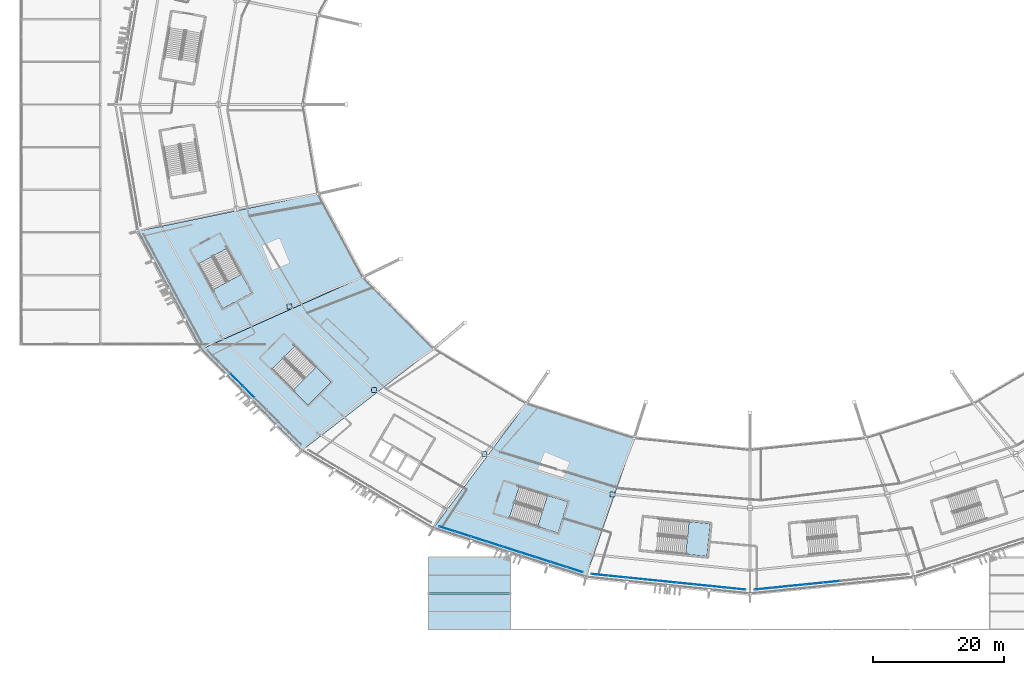
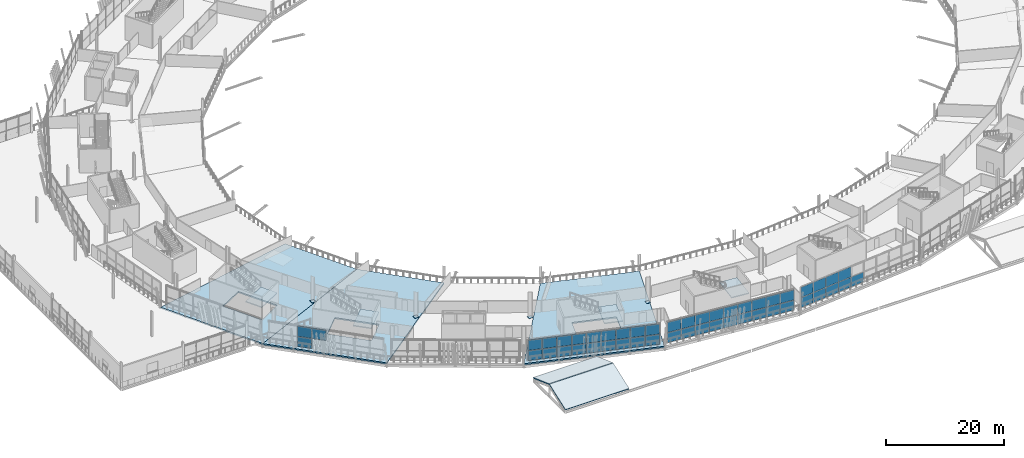
# One storey, part 83 of 168: 52 plates, 9 slabs, 9 elements without a shape of their own.
"""IFC4 building model written with IfcOpenShell, lengths in metres."""

from ifc_helpers import new_model, si_unit, direction, frame, origin, origin_2d, place, context, subcontext, project, spatial, polyline, rectangle, outline, extrude, material, layer, layer_set, type_object, element, aggregate, save


model = new_model("IFC4")

# Units and contexts
model_context = context("Model", 3, precision=1e-05, world=origin(), true_north=direction((0.0, 1.0)))
body_context = subcontext(model_context, "Body", "Model", "MODEL_VIEW")
ifc_project = project(units=[si_unit("LENGTHUNIT", "METRE"), si_unit("AREAUNIT", "SQUARE_METRE"), si_unit("VOLUMEUNIT", "CUBIC_METRE"), si_unit("PLANEANGLEUNIT", "RADIAN"), si_unit("MASSUNIT", "GRAM", prefix="KILO")], contexts=[model_context])

# Site, building, storey
site_placement = place(None, origin())
site = spatial("IfcSite", under=ifc_project, at=site_placement, CompositionType="ELEMENT")
building_placement = place(site_placement, origin())
building = spatial("IfcBuilding", under=site, at=building_placement, Name="Zlatoyarsky Gate Stadium", CompositionType="ELEMENT")
storey_placement = place(building_placement, frame((0.0, 0.0, 15.60009765625)))
storey = spatial("IfcBuildingStorey", under=building, at=storey_placement, Name="L03", CompositionType="ELEMENT", Elevation=15.60009765625)

# Curtain wall, plates
ifc_material_1 = material(Name="Thermally broken anodised aluminium curtain wall", Category="aluminium")
curtain_wall_type_1 = type_object("IfcCurtainWallType", Name="MONUMENTAL ARCHED GATE GLAZING UPPER", PredefinedType="USERDEFINED", material=ifc_material_1)
curtain_wall_1_placement = place(storey_placement, origin())
curtain_wall_1 = element("IfcCurtainWall", 1, at=curtain_wall_1_placement, inside=storey, type_object=curtain_wall_type_1, Name="Curtain wall CW-L03-18", ObjectType="ARCHED GATE GLAZING", PredefinedType="USERDEFINED")
ifc_material_2 = material(Name="Triple-glazed argon low-e architectural glass", Category="glass")
ifc_layer_1 = layer(ifc_material_2, 0.0458984375)
ifc_layer_set_1 = layer_set([ifc_layer_1], Name="Triple-glazed argon low-e architectural glass")
plate_type_1 = type_object("IfcPlateType", Name="ACOUSTIC LAMINATED GATE GLAZING PANEL 46", PredefinedType="CURTAIN_PANEL", material=ifc_layer_set_1)
plate_1_placement = place(storey_placement, frame((112.973876953125, 6.197998046875, 0.074951171875), z_axis=(0.0, 0.0, 1.0), x_axis=(0.994889655868, 0.100968176403, 0.0)))
plate_1 = element("IfcPlate", 2, at=plate_1_placement, type_object=plate_type_1, Name="CW-AG2 panel 1.1", PredefinedType="CURTAIN_PANEL", context=body_context, shape_type="SweptSolid", body=[
    extrude(rectangle(XDim=2.51806640625, YDim=0.0458984375, at=origin_2d()), origin(), (0.0, 0.0, 1.0), 2.03759765625),
])
plate_2_placement = place(storey_placement, frame((112.973876953125, 6.197998046875, 2.1875), z_axis=(0.0, 0.0, 1.0), x_axis=(0.994889655868, 0.100968176403, 0.0)))
plate_2 = element("IfcPlate", 3, at=plate_2_placement, type_object=plate_type_1, Name="CW-AG2 panel 1.2", PredefinedType="CURTAIN_PANEL", context=body_context, shape_type="SweptSolid", body=[
    extrude(rectangle(XDim=2.51806640625, YDim=0.0458984375, at=origin_2d()), origin(), (0.0, 0.0, 1.0), 2.117431640625),
])
plate_3_placement = place(storey_placement, frame((115.572265625, 6.4619140625, 0.074951171875), z_axis=(0.0, 0.0, 1.0), x_axis=(0.994889655868, 0.100968176403, 0.0)))
plate_3 = element("IfcPlate", 4, at=plate_3_placement, type_object=plate_type_1, Name="CW-AG2 panel 2.1", PredefinedType="CURTAIN_PANEL", context=body_context, shape_type="SweptSolid", body=[
    extrude(rectangle(XDim=2.555419921875, YDim=0.0458984375, at=origin_2d()), origin(), (0.0, 0.0, 1.0), 2.03759765625),
])
plate_4_placement = place(storey_placement, frame((115.572265625, 6.4619140625, 2.1875), z_axis=(0.0, 0.0, 1.0), x_axis=(0.994889655868, 0.100968176403, 0.0)))
plate_4 = element("IfcPlate", 5, at=plate_4_placement, type_object=plate_type_1, Name="CW-AG2 panel 2.2", PredefinedType="CURTAIN_PANEL", context=body_context, shape_type="SweptSolid", body=[
    extrude(rectangle(XDim=2.555419921875, YDim=0.0458984375, at=origin_2d()), origin(), (0.0, 0.0, 1.0), 2.117431640625),
])
plate_5_placement = place(storey_placement, frame((118.189453125, 6.727294921875, 0.074951171875), z_axis=(0.0, 0.0, 1.0), x_axis=(0.994889655868, 0.100968176403, 0.0)))
plate_5 = element("IfcPlate", 6, at=plate_5_placement, type_object=plate_type_1, Name="CW-AG2 panel 3.1", PredefinedType="CURTAIN_PANEL", context=body_context, shape_type="SweptSolid", body=[
    extrude(rectangle(XDim=2.555419921875, YDim=0.0458984375, at=origin_2d()), origin(), (0.0, 0.0, 1.0), 2.03759765625),
])
plate_6_placement = place(storey_placement, frame((118.189453125, 6.727294921875, 2.1875), z_axis=(0.0, 0.0, 1.0), x_axis=(0.994889655868, 0.100968176403, 0.0)))
plate_6 = element("IfcPlate", 7, at=plate_6_placement, type_object=plate_type_1, Name="CW-AG2 panel 3.2", PredefinedType="CURTAIN_PANEL", context=body_context, shape_type="SweptSolid", body=[
    extrude(rectangle(XDim=2.555419921875, YDim=0.0458984375, at=origin_2d()), origin(), (0.0, 0.0, 1.0), 2.117431640625),
])
plate_7_placement = place(storey_placement, frame((120.806396484375, 6.992919921875, 0.074951171875), z_axis=(0.0, 0.0, 1.0), x_axis=(0.994889655868, 0.100968176403, 0.0)))
plate_7 = element("IfcPlate", 8, at=plate_7_placement, type_object=plate_type_1, Name="CW-AG2 panel 4.1", PredefinedType="CURTAIN_PANEL", context=body_context, shape_type="SweptSolid", body=[
    extrude(rectangle(XDim=2.555419921875, YDim=0.0458984375, at=origin_2d()), origin(), (0.0, 0.0, 1.0), 2.03759765625),
])
plate_8_placement = place(storey_placement, frame((120.806396484375, 6.992919921875, 2.1875), z_axis=(0.0, 0.0, 1.0), x_axis=(0.994889655868, 0.100968176403, 0.0)))
plate_8 = element("IfcPlate", 9, at=plate_8_placement, type_object=plate_type_1, Name="CW-AG2 panel 4.2", PredefinedType="CURTAIN_PANEL", context=body_context, shape_type="SweptSolid", body=[
    extrude(rectangle(XDim=2.555419921875, YDim=0.0458984375, at=origin_2d()), origin(), (0.0, 0.0, 1.0), 2.117431640625),
])
plate_9_placement = place(storey_placement, frame((123.423583984375, 7.258544921875, 0.074951171875), z_axis=(0.0, 0.0, 1.0), x_axis=(0.994889655868, 0.100968176403, 0.0)))
plate_9 = element("IfcPlate", 10, at=plate_9_placement, type_object=plate_type_1, Name="CW-AG2 panel 5.1", PredefinedType="CURTAIN_PANEL", context=body_context, shape_type="SweptSolid", body=[
    extrude(rectangle(XDim=2.555419921875, YDim=0.0458984375, at=origin_2d()), origin(), (0.0, 0.0, 1.0), 2.03759765625),
])
aggregate(curtain_wall_1, [plate_1, plate_2, plate_3, plate_4, plate_5, plate_6, plate_7, plate_8, plate_9])

# Roof, slabs
ifc_material_3 = material(Name="Standing-seam aluminium-zinc roofing with mineral wool insulation", Category="aluminium")
ifc_layer_2 = layer(ifc_material_3, 0.080078125)
ifc_layer_set_2 = layer_set([ifc_layer_2], Name="Standing-seam aluminium-zinc roofing with mineral wool insulation")
roof_type = type_object("IfcRoofType", Name="WING GABLED STANDING SEAM ROOF ASSEMBLY", PredefinedType="GABLE_ROOF", material=ifc_layer_set_2)
roof_placement = place(storey_placement, origin())
roof = element("IfcRoof", 11, at=roof_placement, inside=storey, type_object=roof_type, Name="V3_SOUTH_W gable roof", PredefinedType="GABLE_ROOF")
ifc_material_4 = material(Name="Concrete C40/50", Category="concrete")
ifc_layer_3 = layer(ifc_material_4, 0.179931640625)
ifc_layer_set_3 = layer_set([ifc_layer_3], Name="Concrete C40/50")
slab_type_1 = type_object("IfcSlabType", Name="COMPOSITE PAVILION ROOF SLAB 180", PredefinedType="ROOF", material=ifc_layer_set_3)
slab_1_placement = place(storey_placement, frame((62.0, 0.0, 0.0), z_axis=(0.0, -0.341726094656, 0.939799593653), x_axis=(1.0, 0.0, 0.0)))
slab_1 = element("IfcSlab", 12, at=slab_1_placement, type_object=slab_type_1, Name="V3_SOUTH_W sloped roof slab 1", PredefinedType="ROOF", context=body_context, shape_type="SweptSolid", body=[
    extrude(outline(polyline([(0.0, 0.0), (12.5, 0.0), (12.5, 5.776196152387171), (0.0, 5.776196152387171), (0.0, 0.0)])), origin(), (0.0, 0.0, -1.0), 0.179931640625),
])
slab_2_placement = place(storey_placement, frame((74.5, 11.0, 0.0), z_axis=(0.0, 0.341726094656, 0.939799593653), x_axis=(-1.0, 0.0, 0.0)))
slab_2 = element("IfcSlab", 13, at=slab_2_placement, type_object=slab_type_1, Name="V3_SOUTH_W sloped roof slab 2", PredefinedType="ROOF", context=body_context, shape_type="SweptSolid", body=[
    extrude(outline(polyline([(0.0, 0.0), (12.5, 0.0), (12.5, 5.776196152387171), (0.0, 5.776196152387171), (0.0, 0.0)])), origin(), (0.0, 0.0, -1.0), 0.179931640625),
])
aggregate(roof, [slab_1, slab_2])

# Slabs
ifc_layer_4 = layer(ifc_material_4, 0.280029296875)
ifc_layer_set_4 = layer_set([ifc_layer_4], Name="Concrete C40/50")
slab_type_2 = type_object("IfcSlabType", Name="CONCRETE HOSPITALITY SLAB 280", PredefinedType="FLOOR", material=ifc_layer_set_4)
slab_3_placement = place(storey_placement, frame((0.0, 0.0, -0.280029296875)))
element("IfcSlab", 14, at=slab_3_placement, inside=storey, type_object=slab_type_2, Name="L03 bowl sector 13 slab", PredefinedType="FLOOR", context=body_context, shape_type="SweptSolid", body=[
    extrude(outline(polyline([(52.1103515625, 53.75), (27.25341796875, 42.64892578125), (17.5927734375, 60.66552734375), (45.31689453125, 66.412109375), (52.1103515625, 53.75)]), holes=[polyline([(26.969482421875, 55.712646484375), (30.66552734375, 48.90087890625), (35.060302734375, 51.28515625), (31.364501953125, 58.09716796875), (26.969482421875, 55.712646484375)])]), origin(), (0.0, 0.0, 1.0), 0.280029296875),
])
slab_4_placement = place(storey_placement, frame((0.0, 0.0, -0.280029296875)))
element("IfcSlab", 15, at=slab_4_placement, inside=storey, type_object=slab_type_2, Name="L03 bowl sector 14 slab", PredefinedType="FLOOR", context=body_context, shape_type="SweptSolid", body=[
    extrude(outline(polyline([(62.916748046875, 42.876953125), (42.62109375, 27.177490234375), (27.25341796875, 42.64892578125), (52.1103515625, 53.75), (62.916748046875, 42.876953125)]), holes=[polyline([(38.171875, 39.652587890625), (43.665771484375, 34.1865234375), (47.1923828125, 37.731201171875), (41.6982421875, 43.197265625), (38.171875, 39.652587890625)])]), origin(), (0.0, 0.0, 1.0), 0.280029296875),
])
slab_5_placement = place(storey_placement, frame((0.0, 0.0, -0.280029296875)))
element("IfcSlab", 16, at=slab_5_placement, inside=storey, type_object=slab_type_2, Name="L03 bowl sector 16 slab", PredefinedType="FLOOR", context=body_context, shape_type="SweptSolid", body=[
    extrude(outline(polyline([(93.400390625, 29.288818359375), (85.9716796875, 7.84326171875), (62.64892578125, 15.305908203125), (77.0, 34.53369140625), (93.400390625, 29.288818359375)]), holes=[polyline([(74.3466796875, 17.035888671875), (81.736083984375, 14.69921875), (83.24365234375, 19.46630859375), (75.854248046875, 21.802978515625), (74.3466796875, 17.035888671875)])]), origin(), (0.0, 0.0, 1.0), 0.280029296875),
])

# Stair, slab
stair_type = type_object("IfcStairType", Name="CONCRETE DOGLEG EXIT STAIR H5200", PredefinedType="TWO_STRAIGHT_RUN_STAIR", material=ifc_material_4)
stair_1_placement = place(storey_placement, origin())
stair_1 = element("IfcStair", 17, at=stair_1_placement, inside=storey, type_object=stair_type, Name="L03 Exit Stair ST-08", PredefinedType="TWO_STRAIGHT_RUN_STAIR")
ifc_layer_5 = layer(ifc_material_4, 0.199951171875)
ifc_layer_set_5 = layer_set([ifc_layer_5], Name="Concrete C40/50")
slab_type_3 = type_object("IfcSlabType", Name="CONCRETE STAIR LANDING SLAB 200", PredefinedType="LANDING", material=ifc_layer_set_5)
slab_6_placement = place(storey_placement, frame((0.0, 0.0, 2.39990234375)))
slab_6 = element("IfcSlab", 18, at=slab_6_placement, type_object=slab_type_3, Name="ST-DG52 landing 1", PredefinedType="LANDING", context=body_context, shape_type="SweptSolid", body=[
    extrude(outline(polyline([(41.36181640625, 36.478759765625), (43.665771484375, 34.1865234375), (47.1923828125, 37.73095703125), (44.888427734375, 40.0234375), (41.36181640625, 36.478759765625)])), origin(), (0.0, 0.0, 1.0), 0.199951171875),
])
aggregate(stair_1, [slab_6])

stair_2_placement = place(storey_placement, origin())
stair_2 = element("IfcStair", 19, at=stair_2_placement, inside=storey, type_object=stair_type, Name="L03 Exit Stair ST-09", PredefinedType="TWO_STRAIGHT_RUN_STAIR")
slab_7_placement = place(storey_placement, frame((0.0, 0.0, 2.39990234375)))
slab_7 = element("IfcSlab", 20, at=slab_7_placement, type_object=slab_type_3, Name="ST-DG52 landing 1", PredefinedType="LANDING", context=body_context, shape_type="SweptSolid", body=[
    extrude(outline(polyline([(78.63720703125, 15.678955078125), (81.736083984375, 14.69921875), (83.24365234375, 19.46630859375), (80.144775390625, 20.4462890625), (78.63720703125, 15.678955078125)])), origin(), (0.0, 0.0, 1.0), 0.199951171875),
])
aggregate(stair_2, [slab_7])

stair_3_placement = place(storey_placement, origin())
stair_3 = element("IfcStair", 21, at=stair_3_placement, inside=storey, type_object=stair_type, Name="L03 Exit Stair ST-15", PredefinedType="TWO_STRAIGHT_RUN_STAIR")
slab_8_placement = place(storey_placement, frame((0.0, 0.0, 2.39990234375)))
slab_8 = element("IfcSlab", 22, at=slab_8_placement, type_object=slab_type_3, Name="ST-DG52 landing 1", PredefinedType="LANDING", context=body_context, shape_type="SweptSolid", body=[
    extrude(outline(polyline([(29.115478515625, 51.75732421875), (30.66552734375, 48.90087890625), (35.060302734375, 51.28515625), (33.510498046875, 54.141845703125), (29.115478515625, 51.75732421875)])), origin(), (0.0, 0.0, 1.0), 0.199951171875),
])
aggregate(stair_3, [slab_8])

stair_4_placement = place(storey_placement, origin())
stair_4 = element("IfcStair", 23, at=stair_4_placement, inside=storey, type_object=stair_type, Name="L03 Exit Stair ST-19", PredefinedType="TWO_STRAIGHT_RUN_STAIR")
slab_9_placement = place(storey_placement, frame((0.0, 0.0, 2.39990234375)))
slab_9 = element("IfcSlab", 24, at=slab_9_placement, type_object=slab_type_3, Name="ST-DG52 landing 1", PredefinedType="LANDING", context=body_context, shape_type="SweptSolid", body=[
    extrude(outline(polyline([(101.207763671875, 11.459228515625), (104.441650390625, 11.134033203125), (104.941650390625, 16.109130859375), (101.7080078125, 16.43408203125), (101.207763671875, 11.459228515625)])), origin(), (0.0, 0.0, 1.0), 0.199951171875),
])
aggregate(stair_4, [slab_9])

# Plates
ifc_material_5 = material(Name="Steel S355", Category="steel")
ifc_layer_6 = layer(ifc_material_5, 0.0400390625)
ifc_layer_set_6 = layer_set([ifc_layer_6], Name="Steel S355")
plate_type_2 = type_object("IfcPlateType", Name="STEEL COLUMN BASE PLATE 40", PredefinedType="USERDEFINED", material=ifc_layer_set_6)
for number, where, z_axis, x_axis, name in (
    (25, (40.851806640625, 49.25, 0.0), (0.0, 0.0, 1.0), (1.0, 0.0, 0.0), "Column base plate BP-01 at RB-14 L03"),
    (26, (53.724365234375, 36.512939453125, 0.0), (0.0, 0.0, 1.0), (1.0, 0.0, 0.0), "Column base plate BP-01 at RB-15 L03"),
    (27, (70.5, 26.739501953125, 0.0), (0.0, 0.0, 1.0), (1.0, 0.0, 0.0), "Column base plate BP-01 at RB-16 L03"),
    (28, (90.03564453125, 20.595703125, 0.0), (0.0, 0.0, 1.0), (1.0, 0.0, 0.0), "Column base plate BP-01 at RB-17 L03"),
):
    element("IfcPlate", number, at=place(storey_placement, frame(where, z_axis=z_axis, x_axis=x_axis)), inside=storey, type_object=plate_type_2, Name=name, ObjectType="BASE PLATE", PredefinedType="USERDEFINED", context=body_context, shape_type="SweptSolid", body=[
        extrude(rectangle(XDim=0.75, YDim=0.75, at=origin_2d()), origin(), (0.0, 0.0, 1.0), 0.0400390625),
    ])

# Curtain wall, plates
curtain_wall_type_2 = type_object("IfcCurtainWallType", Name="UNITISED CORPORATE BOX GLAZING L03", PredefinedType="USERDEFINED", material=ifc_material_1)
curtain_wall_2_placement = place(storey_placement, origin())
curtain_wall_2 = element("IfcCurtainWall", 29, at=curtain_wall_2_placement, inside=storey, type_object=curtain_wall_type_2, Name="Curtain wall CW-L03-14", ObjectType="UNITISED GLAZING", PredefinedType="USERDEFINED")
ifc_layer_7 = layer(ifc_material_2, 0.0380859375)
ifc_layer_set_7 = layer_set([ifc_layer_7], Name="Triple-glazed argon low-e architectural glass")
plate_type_3 = type_object("IfcPlateType", Name="TRIPLE GLAZED LOW E CURTAIN PANEL 38", PredefinedType="CURTAIN_PANEL", material=ifc_layer_set_7)
plate_10_placement = place(storey_placement, frame((32.79931640625, 38.03662109375, 0.06494140625), z_axis=(0.0, 0.0, 1.0), x_axis=(0.705488725202, -0.708721143054, 0.0)))
plate_10 = element("IfcPlate", 30, at=plate_10_placement, type_object=plate_type_3, Name="CW-UG3 panel 3.1", PredefinedType="CURTAIN_PANEL", context=body_context, shape_type="SweptSolid", body=[
    extrude(rectangle(XDim=2.4755859375, YDim=0.0380859375, at=origin_2d()), origin(), (0.0, 0.0, 1.0), 2.052490234375),
])
plate_11_placement = place(storey_placement, frame((32.79931640625, 38.03662109375, 2.18212890625), z_axis=(0.0, 0.0, 1.0), x_axis=(0.705488725202, -0.708721143054, 0.0)))
plate_11 = element("IfcPlate", 31, at=plate_11_placement, type_object=plate_type_3, Name="CW-UG3 panel 3.2", PredefinedType="CURTAIN_PANEL", context=body_context, shape_type="SweptSolid", body=[
    extrude(rectangle(XDim=2.4755859375, YDim=0.0380859375, at=origin_2d()), origin(), (0.0, 0.0, 1.0), 2.132568359375),
])
plate_12_placement = place(storey_placement, frame((34.591796875, 36.236083984375, 2.18212890625), z_axis=(0.0, 0.0, 1.0), x_axis=(0.705488725202, -0.708721143054, 0.0)))
plate_12 = element("IfcPlate", 32, at=plate_12_placement, type_object=plate_type_3, Name="CW-UG3 panel 4.2", PredefinedType="CURTAIN_PANEL", context=body_context, shape_type="SweptSolid", body=[
    extrude(rectangle(XDim=2.4755859375, YDim=0.0380859375, at=origin_2d()), origin(), (0.0, 0.0, 1.0), 2.132568359375),
])
aggregate(curtain_wall_2, [plate_10, plate_11, plate_12])

curtain_wall_3_placement = place(storey_placement, origin())
curtain_wall_3 = element("IfcCurtainWall", 33, at=curtain_wall_3_placement, inside=storey, type_object=curtain_wall_type_2, Name="Curtain wall CW-L03-16", ObjectType="UNITISED GLAZING", PredefinedType="USERDEFINED")
plate_13_placement = place(storey_placement, frame((64.85107421875, 15.32080078125, 0.06494140625), z_axis=(0.0, 0.0, 1.0), x_axis=(0.952620280552, -0.304162129597, 0.0)))
plate_13 = element("IfcPlate", 34, at=plate_13_placement, type_object=plate_type_3, Name="CW-UG3 panel 1.1", PredefinedType="CURTAIN_PANEL", context=body_context, shape_type="SweptSolid", body=[
    extrude(rectangle(XDim=2.458740234375, YDim=0.0380859375, at=origin_2d()), origin(), (0.0, 0.0, 1.0), 2.052490234375),
])
plate_14_placement = place(storey_placement, frame((64.85107421875, 15.32080078125, 2.18212890625), z_axis=(0.0, 0.0, 1.0), x_axis=(0.952620280552, -0.304162129597, 0.0)))
plate_14 = element("IfcPlate", 35, at=plate_14_placement, type_object=plate_type_3, Name="CW-UG3 panel 1.2", PredefinedType="CURTAIN_PANEL", context=body_context, shape_type="SweptSolid", body=[
    extrude(rectangle(XDim=2.458740234375, YDim=0.0380859375, at=origin_2d()), origin(), (0.0, 0.0, 1.0), 2.132568359375),
])
plate_15_placement = place(storey_placement, frame((67.270751953125, 14.54833984375, 0.06494140625), z_axis=(0.0, 0.0, 1.0), x_axis=(0.952620280552, -0.304162129597, 0.0)))
plate_15 = element("IfcPlate", 36, at=plate_15_placement, type_object=plate_type_3, Name="CW-UG3 panel 2.1", PredefinedType="CURTAIN_PANEL", context=body_context, shape_type="SweptSolid", body=[
    extrude(rectangle(XDim=2.4912109375, YDim=0.0380859375, at=origin_2d()), origin(), (0.0, 0.0, 1.0), 2.052490234375),
])
plate_16_placement = place(storey_placement, frame((67.270751953125, 14.54833984375, 2.18212890625), z_axis=(0.0, 0.0, 1.0), x_axis=(0.952620280552, -0.304162129597, 0.0)))
plate_16 = element("IfcPlate", 37, at=plate_16_placement, type_object=plate_type_3, Name="CW-UG3 panel 2.2", PredefinedType="CURTAIN_PANEL", context=body_context, shape_type="SweptSolid", body=[
    extrude(rectangle(XDim=2.4912109375, YDim=0.0380859375, at=origin_2d()), origin(), (0.0, 0.0, 1.0), 2.132568359375),
])
plate_17_placement = place(storey_placement, frame((69.705810546875, 13.770751953125, 0.06494140625), z_axis=(0.0, 0.0, 1.0), x_axis=(0.952620280552, -0.304162129597, 0.0)))
plate_17 = element("IfcPlate", 38, at=plate_17_placement, type_object=plate_type_3, Name="CW-UG3 panel 3.1", PredefinedType="CURTAIN_PANEL", context=body_context, shape_type="SweptSolid", body=[
    extrude(rectangle(XDim=2.4912109375, YDim=0.0380859375, at=origin_2d()), origin(), (0.0, 0.0, 1.0), 2.052490234375),
])
plate_18_placement = place(storey_placement, frame((69.705810546875, 13.770751953125, 2.18212890625), z_axis=(0.0, 0.0, 1.0), x_axis=(0.952620280552, -0.304162129597, 0.0)))
plate_18 = element("IfcPlate", 39, at=plate_18_placement, type_object=plate_type_3, Name="CW-UG3 panel 3.2", PredefinedType="CURTAIN_PANEL", context=body_context, shape_type="SweptSolid", body=[
    extrude(rectangle(XDim=2.4912109375, YDim=0.0380859375, at=origin_2d()), origin(), (0.0, 0.0, 1.0), 2.132568359375),
])
plate_19_placement = place(storey_placement, frame((72.140869140625, 12.993408203125, 0.06494140625), z_axis=(0.0, 0.0, 1.0), x_axis=(0.952620280552, -0.304162129597, 0.0)))
plate_19 = element("IfcPlate", 40, at=plate_19_placement, type_object=plate_type_3, Name="CW-UG3 panel 4.1", PredefinedType="CURTAIN_PANEL", context=body_context, shape_type="SweptSolid", body=[
    extrude(rectangle(XDim=2.4912109375, YDim=0.0380859375, at=origin_2d()), origin(), (0.0, 0.0, 1.0), 2.052490234375),
])
plate_20_placement = place(storey_placement, frame((72.140869140625, 12.993408203125, 2.18212890625), z_axis=(0.0, 0.0, 1.0), x_axis=(0.952620280552, -0.304162129597, 0.0)))
plate_20 = element("IfcPlate", 41, at=plate_20_placement, type_object=plate_type_3, Name="CW-UG3 panel 4.2", PredefinedType="CURTAIN_PANEL", context=body_context, shape_type="SweptSolid", body=[
    extrude(rectangle(XDim=2.4912109375, YDim=0.0380859375, at=origin_2d()), origin(), (0.0, 0.0, 1.0), 2.132568359375),
])
plate_21_placement = place(storey_placement, frame((74.575927734375, 12.2158203125, 0.06494140625), z_axis=(0.0, 0.0, 1.0), x_axis=(0.952620280552, -0.304162129597, 0.0)))
plate_21 = element("IfcPlate", 42, at=plate_21_placement, type_object=plate_type_3, Name="CW-UG3 panel 5.1", PredefinedType="CURTAIN_PANEL", context=body_context, shape_type="SweptSolid", body=[
    extrude(rectangle(XDim=2.4912109375, YDim=0.0380859375, at=origin_2d()), origin(), (0.0, 0.0, 1.0), 2.052490234375),
])
plate_22_placement = place(storey_placement, frame((74.575927734375, 12.2158203125, 2.18212890625), z_axis=(0.0, 0.0, 1.0), x_axis=(0.952620280552, -0.304162129597, 0.0)))
plate_22 = element("IfcPlate", 43, at=plate_22_placement, type_object=plate_type_3, Name="CW-UG3 panel 5.2", PredefinedType="CURTAIN_PANEL", context=body_context, shape_type="SweptSolid", body=[
    extrude(rectangle(XDim=2.4912109375, YDim=0.0380859375, at=origin_2d()), origin(), (0.0, 0.0, 1.0), 2.132568359375),
])
plate_23_placement = place(storey_placement, frame((77.010986328125, 11.438232421875, 0.06494140625), z_axis=(0.0, 0.0, 1.0), x_axis=(0.952620280552, -0.304162129597, 0.0)))
plate_23 = element("IfcPlate", 44, at=plate_23_placement, type_object=plate_type_3, Name="CW-UG3 panel 6.1", PredefinedType="CURTAIN_PANEL", context=body_context, shape_type="SweptSolid", body=[
    extrude(rectangle(XDim=2.4912109375, YDim=0.0380859375, at=origin_2d()), origin(), (0.0, 0.0, 1.0), 2.052490234375),
])
plate_24_placement = place(storey_placement, frame((77.010986328125, 11.438232421875, 2.18212890625), z_axis=(0.0, 0.0, 1.0), x_axis=(0.952620280552, -0.304162129597, 0.0)))
plate_24 = element("IfcPlate", 45, at=plate_24_placement, type_object=plate_type_3, Name="CW-UG3 panel 6.2", PredefinedType="CURTAIN_PANEL", context=body_context, shape_type="SweptSolid", body=[
    extrude(rectangle(XDim=2.4912109375, YDim=0.0380859375, at=origin_2d()), origin(), (0.0, 0.0, 1.0), 2.132568359375),
])
plate_25_placement = place(storey_placement, frame((79.446044921875, 10.660888671875, 0.06494140625), z_axis=(0.0, 0.0, 1.0), x_axis=(0.952620280552, -0.304162129597, 0.0)))
plate_25 = element("IfcPlate", 46, at=plate_25_placement, type_object=plate_type_3, Name="CW-UG3 panel 7.1", PredefinedType="CURTAIN_PANEL", context=body_context, shape_type="SweptSolid", body=[
    extrude(rectangle(XDim=2.4912109375, YDim=0.0380859375, at=origin_2d()), origin(), (0.0, 0.0, 1.0), 2.052490234375),
])
plate_26_placement = place(storey_placement, frame((79.446044921875, 10.660888671875, 2.18212890625), z_axis=(0.0, 0.0, 1.0), x_axis=(0.952620280552, -0.304162129597, 0.0)))
plate_26 = element("IfcPlate", 47, at=plate_26_placement, type_object=plate_type_3, Name="CW-UG3 panel 7.2", PredefinedType="CURTAIN_PANEL", context=body_context, shape_type="SweptSolid", body=[
    extrude(rectangle(XDim=2.4912109375, YDim=0.0380859375, at=origin_2d()), origin(), (0.0, 0.0, 1.0), 2.132568359375),
])
plate_27_placement = place(storey_placement, frame((81.881103515625, 9.88330078125, 0.06494140625), z_axis=(0.0, 0.0, 1.0), x_axis=(0.952620280552, -0.304162129597, 0.0)))
plate_27 = element("IfcPlate", 48, at=plate_27_placement, type_object=plate_type_3, Name="CW-UG3 panel 8.1", PredefinedType="CURTAIN_PANEL", context=body_context, shape_type="SweptSolid", body=[
    extrude(rectangle(XDim=2.4912109375, YDim=0.0380859375, at=origin_2d()), origin(), (0.0, 0.0, 1.0), 2.052490234375),
])
plate_28_placement = place(storey_placement, frame((81.881103515625, 9.88330078125, 2.18212890625), z_axis=(0.0, 0.0, 1.0), x_axis=(0.952620280552, -0.304162129597, 0.0)))
plate_28 = element("IfcPlate", 49, at=plate_28_placement, type_object=plate_type_3, Name="CW-UG3 panel 8.2", PredefinedType="CURTAIN_PANEL", context=body_context, shape_type="SweptSolid", body=[
    extrude(rectangle(XDim=2.4912109375, YDim=0.0380859375, at=origin_2d()), origin(), (0.0, 0.0, 1.0), 2.132568359375),
])
plate_29_placement = place(storey_placement, frame((84.300537109375, 9.11083984375, 0.06494140625), z_axis=(0.0, 0.0, 1.0), x_axis=(0.952620280552, -0.304162129597, 0.0)))
plate_29 = element("IfcPlate", 50, at=plate_29_placement, type_object=plate_type_3, Name="CW-UG3 panel 9.1", PredefinedType="CURTAIN_PANEL", context=body_context, shape_type="SweptSolid", body=[
    extrude(rectangle(XDim=2.458740234375, YDim=0.0380859375, at=origin_2d()), origin(), (0.0, 0.0, 1.0), 2.052490234375),
])
plate_30_placement = place(storey_placement, frame((84.300537109375, 9.11083984375, 2.18212890625), z_axis=(0.0, 0.0, 1.0), x_axis=(0.952620280552, -0.304162129597, 0.0)))
plate_30 = element("IfcPlate", 51, at=plate_30_placement, type_object=plate_type_3, Name="CW-UG3 panel 9.2", PredefinedType="CURTAIN_PANEL", context=body_context, shape_type="SweptSolid", body=[
    extrude(rectangle(XDim=2.458740234375, YDim=0.0380859375, at=origin_2d()), origin(), (0.0, 0.0, 1.0), 2.132568359375),
])
aggregate(curtain_wall_3, [plate_13, plate_14, plate_15, plate_16, plate_17, plate_18, plate_19, plate_20, plate_21, plate_22, plate_23, plate_24, plate_25, plate_26, plate_27, plate_28, plate_29, plate_30])

curtain_wall_4_placement = place(storey_placement, origin())
curtain_wall_4 = element("IfcCurtainWall", 52, at=curtain_wall_4_placement, inside=storey, type_object=curtain_wall_type_2, Name="Curtain wall CW-L03-17", ObjectType="UNITISED GLAZING", PredefinedType="USERDEFINED")
plate_31_placement = place(storey_placement, frame((88.124267578125, 8.3193359375, 0.06494140625), z_axis=(0.0, 0.0, 1.0), x_axis=(0.994889655868, -0.100968176403, 0.0)))
plate_31 = element("IfcPlate", 53, at=plate_31_placement, type_object=plate_type_3, Name="CW-UG3 panel 1.1", PredefinedType="CURTAIN_PANEL", context=body_context, shape_type="SweptSolid", body=[
    extrude(rectangle(XDim=2.532958984375, YDim=0.0380859375, at=origin_2d()), origin(), (0.0, 0.0, 1.0), 2.052490234375),
])
plate_32_placement = place(storey_placement, frame((88.124267578125, 8.3193359375, 2.18212890625), z_axis=(0.0, 0.0, 1.0), x_axis=(0.994889655868, -0.100968176403, 0.0)))
plate_32 = element("IfcPlate", 54, at=plate_32_placement, type_object=plate_type_3, Name="CW-UG3 panel 1.2", PredefinedType="CURTAIN_PANEL", context=body_context, shape_type="SweptSolid", body=[
    extrude(rectangle(XDim=2.532958984375, YDim=0.0380859375, at=origin_2d()), origin(), (0.0, 0.0, 1.0), 2.132568359375),
])
plate_33_placement = place(storey_placement, frame((90.72509765625, 8.055419921875, 0.06494140625), z_axis=(0.0, 0.0, 1.0), x_axis=(0.994889655868, -0.100968176403, 0.0)))
plate_33 = element("IfcPlate", 55, at=plate_33_placement, type_object=plate_type_3, Name="CW-UG3 panel 2.1", PredefinedType="CURTAIN_PANEL", context=body_context, shape_type="SweptSolid", body=[
    extrude(rectangle(XDim=2.5654296875, YDim=0.0380859375, at=origin_2d()), origin(), (0.0, 0.0, 1.0), 2.052490234375),
])
plate_34_placement = place(storey_placement, frame((90.72509765625, 8.055419921875, 2.18212890625), z_axis=(0.0, 0.0, 1.0), x_axis=(0.994889655868, -0.100968176403, 0.0)))
plate_34 = element("IfcPlate", 56, at=plate_34_placement, type_object=plate_type_3, Name="CW-UG3 panel 2.2", PredefinedType="CURTAIN_PANEL", context=body_context, shape_type="SweptSolid", body=[
    extrude(rectangle(XDim=2.5654296875, YDim=0.0380859375, at=origin_2d()), origin(), (0.0, 0.0, 1.0), 2.132568359375),
])
plate_35_placement = place(storey_placement, frame((93.34228515625, 7.789794921875, 0.06494140625), z_axis=(0.0, 0.0, 1.0), x_axis=(0.994889655868, -0.100968176403, 0.0)))
plate_35 = element("IfcPlate", 57, at=plate_35_placement, type_object=plate_type_3, Name="CW-UG3 panel 3.1", PredefinedType="CURTAIN_PANEL", context=body_context, shape_type="SweptSolid", body=[
    extrude(rectangle(XDim=2.5654296875, YDim=0.0380859375, at=origin_2d()), origin(), (0.0, 0.0, 1.0), 2.052490234375),
])
plate_36_placement = place(storey_placement, frame((93.34228515625, 7.789794921875, 2.18212890625), z_axis=(0.0, 0.0, 1.0), x_axis=(0.994889655868, -0.100968176403, 0.0)))
plate_36 = element("IfcPlate", 58, at=plate_36_placement, type_object=plate_type_3, Name="CW-UG3 panel 3.2", PredefinedType="CURTAIN_PANEL", context=body_context, shape_type="SweptSolid", body=[
    extrude(rectangle(XDim=2.5654296875, YDim=0.0380859375, at=origin_2d()), origin(), (0.0, 0.0, 1.0), 2.132568359375),
])
plate_37_placement = place(storey_placement, frame((95.959228515625, 7.524169921875, 0.06494140625), z_axis=(0.0, 0.0, 1.0), x_axis=(0.994889655868, -0.100968176403, 0.0)))
plate_37 = element("IfcPlate", 59, at=plate_37_placement, type_object=plate_type_3, Name="CW-UG3 panel 4.1", PredefinedType="CURTAIN_PANEL", context=body_context, shape_type="SweptSolid", body=[
    extrude(rectangle(XDim=2.5654296875, YDim=0.0380859375, at=origin_2d()), origin(), (0.0, 0.0, 1.0), 2.052490234375),
])
plate_38_placement = place(storey_placement, frame((95.959228515625, 7.524169921875, 2.18212890625), z_axis=(0.0, 0.0, 1.0), x_axis=(0.994889655868, -0.100968176403, 0.0)))
plate_38 = element("IfcPlate", 60, at=plate_38_placement, type_object=plate_type_3, Name="CW-UG3 panel 4.2", PredefinedType="CURTAIN_PANEL", context=body_context, shape_type="SweptSolid", body=[
    extrude(rectangle(XDim=2.5654296875, YDim=0.0380859375, at=origin_2d()), origin(), (0.0, 0.0, 1.0), 2.132568359375),
])
plate_39_placement = place(storey_placement, frame((98.576416015625, 7.258544921875, 0.06494140625), z_axis=(0.0, 0.0, 1.0), x_axis=(0.994889655868, -0.100968176403, 0.0)))
plate_39 = element("IfcPlate", 61, at=plate_39_placement, type_object=plate_type_3, Name="CW-UG3 panel 5.1", PredefinedType="CURTAIN_PANEL", context=body_context, shape_type="SweptSolid", body=[
    extrude(rectangle(XDim=2.5654296875, YDim=0.0380859375, at=origin_2d()), origin(), (0.0, 0.0, 1.0), 2.052490234375),
])
plate_40_placement = place(storey_placement, frame((98.576416015625, 7.258544921875, 2.18212890625), z_axis=(0.0, 0.0, 1.0), x_axis=(0.994889655868, -0.100968176403, 0.0)))
plate_40 = element("IfcPlate", 62, at=plate_40_placement, type_object=plate_type_3, Name="CW-UG3 panel 5.2", PredefinedType="CURTAIN_PANEL", context=body_context, shape_type="SweptSolid", body=[
    extrude(rectangle(XDim=2.5654296875, YDim=0.0380859375, at=origin_2d()), origin(), (0.0, 0.0, 1.0), 2.132568359375),
])
plate_41_placement = place(storey_placement, frame((101.193603515625, 6.992919921875, 0.06494140625), z_axis=(0.0, 0.0, 1.0), x_axis=(0.994889655868, -0.100968176403, 0.0)))
plate_41 = element("IfcPlate", 63, at=plate_41_placement, type_object=plate_type_3, Name="CW-UG3 panel 6.1", PredefinedType="CURTAIN_PANEL", context=body_context, shape_type="SweptSolid", body=[
    extrude(rectangle(XDim=2.5654296875, YDim=0.0380859375, at=origin_2d()), origin(), (0.0, 0.0, 1.0), 2.052490234375),
])
plate_42_placement = place(storey_placement, frame((101.193603515625, 6.992919921875, 2.18212890625), z_axis=(0.0, 0.0, 1.0), x_axis=(0.994889655868, -0.100968176403, 0.0)))
plate_42 = element("IfcPlate", 64, at=plate_42_placement, type_object=plate_type_3, Name="CW-UG3 panel 6.2", PredefinedType="CURTAIN_PANEL", context=body_context, shape_type="SweptSolid", body=[
    extrude(rectangle(XDim=2.5654296875, YDim=0.0380859375, at=origin_2d()), origin(), (0.0, 0.0, 1.0), 2.132568359375),
])
plate_43_placement = place(storey_placement, frame((103.810546875, 6.727294921875, 0.06494140625), z_axis=(0.0, 0.0, 1.0), x_axis=(0.994889655868, -0.100968176403, 0.0)))
plate_43 = element("IfcPlate", 65, at=plate_43_placement, type_object=plate_type_3, Name="CW-UG3 panel 7.1", PredefinedType="CURTAIN_PANEL", context=body_context, shape_type="SweptSolid", body=[
    extrude(rectangle(XDim=2.5654296875, YDim=0.0380859375, at=origin_2d()), origin(), (0.0, 0.0, 1.0), 2.052490234375),
])
plate_44_placement = place(storey_placement, frame((103.810546875, 6.727294921875, 2.18212890625), z_axis=(0.0, 0.0, 1.0), x_axis=(0.994889655868, -0.100968176403, 0.0)))
plate_44 = element("IfcPlate", 66, at=plate_44_placement, type_object=plate_type_3, Name="CW-UG3 panel 7.2", PredefinedType="CURTAIN_PANEL", context=body_context, shape_type="SweptSolid", body=[
    extrude(rectangle(XDim=2.5654296875, YDim=0.0380859375, at=origin_2d()), origin(), (0.0, 0.0, 1.0), 2.132568359375),
])
plate_45_placement = place(storey_placement, frame((106.427734375, 6.4619140625, 0.06494140625), z_axis=(0.0, 0.0, 1.0), x_axis=(0.994889655868, -0.100968176403, 0.0)))
plate_45 = element("IfcPlate", 67, at=plate_45_placement, type_object=plate_type_3, Name="CW-UG3 panel 8.1", PredefinedType="CURTAIN_PANEL", context=body_context, shape_type="SweptSolid", body=[
    extrude(rectangle(XDim=2.5654296875, YDim=0.0380859375, at=origin_2d()), origin(), (0.0, 0.0, 1.0), 2.052490234375),
])
plate_46_placement = place(storey_placement, frame((106.427734375, 6.4619140625, 2.18212890625), z_axis=(0.0, 0.0, 1.0), x_axis=(0.994889655868, -0.100968176403, 0.0)))
plate_46 = element("IfcPlate", 68, at=plate_46_placement, type_object=plate_type_3, Name="CW-UG3 panel 8.2", PredefinedType="CURTAIN_PANEL", context=body_context, shape_type="SweptSolid", body=[
    extrude(rectangle(XDim=2.5654296875, YDim=0.0380859375, at=origin_2d()), origin(), (0.0, 0.0, 1.0), 2.132568359375),
])
plate_47_placement = place(storey_placement, frame((109.028564453125, 6.19775390625, 0.06494140625), z_axis=(0.0, 0.0, 1.0), x_axis=(0.994889655868, -0.100968176403, 0.0)))
plate_47 = element("IfcPlate", 69, at=plate_47_placement, type_object=plate_type_3, Name="CW-UG3 panel 9.1", PredefinedType="CURTAIN_PANEL", context=body_context, shape_type="SweptSolid", body=[
    extrude(rectangle(XDim=2.532958984375, YDim=0.0380859375, at=origin_2d()), origin(), (0.0, 0.0, 1.0), 2.052490234375),
])
plate_48_placement = place(storey_placement, frame((109.028564453125, 6.19775390625, 2.18212890625), z_axis=(0.0, 0.0, 1.0), x_axis=(0.994889655868, -0.100968176403, 0.0)))
plate_48 = element("IfcPlate", 70, at=plate_48_placement, type_object=plate_type_3, Name="CW-UG3 panel 9.2", PredefinedType="CURTAIN_PANEL", context=body_context, shape_type="SweptSolid", body=[
    extrude(rectangle(XDim=2.532958984375, YDim=0.0380859375, at=origin_2d()), origin(), (0.0, 0.0, 1.0), 2.132568359375),
])
aggregate(curtain_wall_4, [plate_31, plate_32, plate_33, plate_34, plate_35, plate_36, plate_37, plate_38, plate_39, plate_40, plate_41, plate_42, plate_43, plate_44, plate_45, plate_46, plate_47, plate_48])

save(model, "model.ifc")
